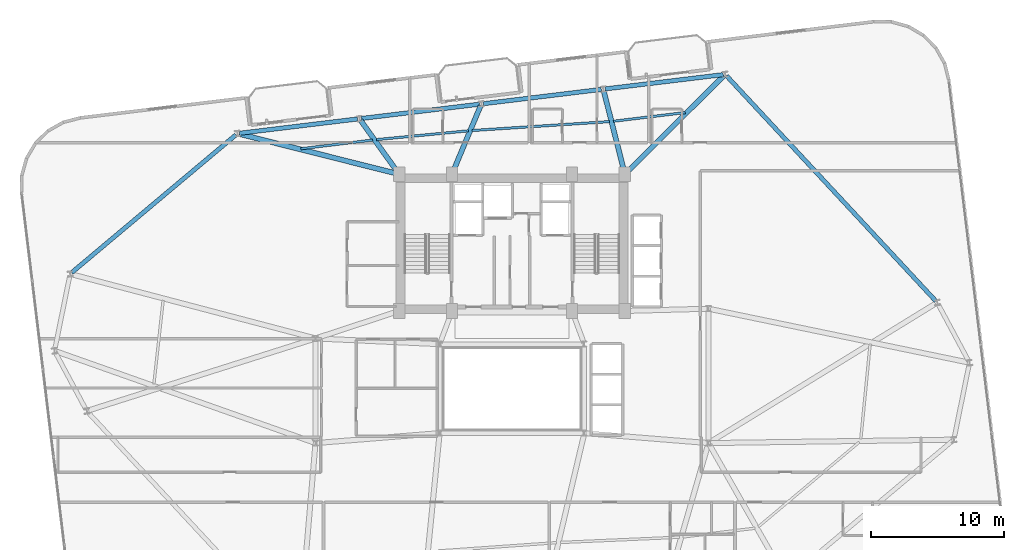
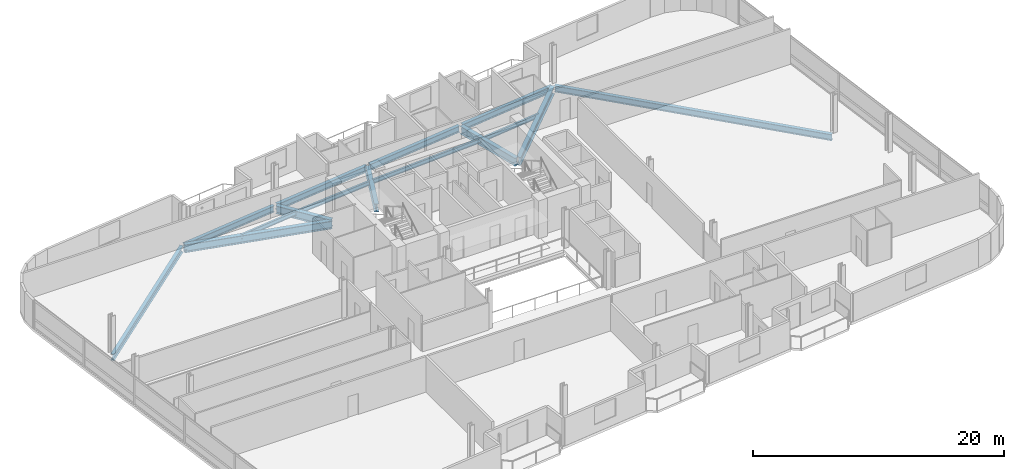
# One storey, part 9 of 22: 15 beams.
"""IFC4 building model written with IfcOpenShell, lengths in metres."""

from ifc_helpers import new_model, si_unit, direction, frame, origin, origin_2d, place, context, subcontext, project, spatial, i_section, extrude, material, material_profile, profile_set, type_object, element, save


model = new_model("IFC4")

# Units and contexts
model_context = context("Model", 3, precision=1e-05, world=origin(), true_north=direction((0.0, 1.0)))
body_context = subcontext(model_context, "Body", "Model", "MODEL_VIEW")
ifc_project = project(units=[si_unit("LENGTHUNIT", "METRE"), si_unit("AREAUNIT", "SQUARE_METRE"), si_unit("VOLUMEUNIT", "CUBIC_METRE"), si_unit("PLANEANGLEUNIT", "RADIAN"), si_unit("MASSUNIT", "GRAM", prefix="KILO")], contexts=[model_context])

# Site, building, storey
site_placement = place(None, origin())
site = spatial("IfcSite", under=ifc_project, at=site_placement, CompositionType="ELEMENT")
building_placement = place(site_placement, origin())
building = spatial("IfcBuilding", under=site, at=building_placement, Name="Varnelok Gate Tower", CompositionType="ELEMENT")
storey_placement = place(building_placement, frame((0.0, 0.0, 178.300048828125)))
storey = spatial("IfcBuildingStorey", under=building, at=storey_placement, Name="L45", CompositionType="ELEMENT", Elevation=178.300048828125)

# Beams
ifc_material = material(Name="Structural Steel ASTM A992 Grade 50", Category="steel")
ifc_material_profile_1 = material_profile(ifc_material, i_section(OverallWidth=0.180908203125, OverallDepth=0.4169921875, WebThickness=0.010986328125, FlangeThickness=0.018310546875, FilletRadius=0.013916015625, at=origin_2d()), Name="W16X57")
ifc_profile_set_1 = profile_set([ifc_material_profile_1], Name="Structural Steel ASTM A992 Grade 50")
beam_type_1 = type_object("IfcBeamType", Name="BM-JST-W16X57", PredefinedType="JOIST", material=ifc_profile_set_1)
beam_1_placement = place(storey_placement, frame((52.24658203125, 43.693603515625, -0.45849609375), z_axis=(-0.992731675719, -0.120348743339, 0.0), x_axis=(0.120348743339, -0.992731675719, 0.0)))
element("IfcBeam", 1, at=beam_1_placement, inside=storey, type_object=beam_type_1, Name="L45 Sector Floor Joist 7", PredefinedType="JOIST", context=body_context, shape_type="SweptSolid", body=[
    extrude(i_section(OverallWidth=0.180908203125, OverallDepth=0.4169921875, WebThickness=0.010986328125, FlangeThickness=0.018310546875, FilletRadius=0.013916015625, at=origin_2d()), origin(), (0.0, 0.0, 1.0), 5.454833984375),
])
beam_2_placement = place(storey_placement, frame((46.552490234375, 43.01123046875, -0.45849609375), z_axis=(-0.997902783228, -0.064730481427, 0.0), x_axis=(0.064730481427, -0.997902783228, 0.0)))
element("IfcBeam", 2, at=beam_2_placement, inside=storey, type_object=beam_type_1, Name="L45 Sector Floor Joist 8", PredefinedType="JOIST", context=body_context, shape_type="SweptSolid", body=[
    extrude(i_section(OverallWidth=0.180908203125, OverallDepth=0.4169921875, WebThickness=0.010986328125, FlangeThickness=0.018310546875, FilletRadius=0.013916015625, at=origin_2d()), origin(), (0.0, 0.0, 1.0), 10.38330078125),
])
beam_3_placement = place(storey_placement, frame((35.912109375, 42.31689453125, -0.45849609375), z_axis=(-0.995443289549, -0.095355426129, 0.0), x_axis=(0.095355426129, -0.995443289549, 0.0)))
element("IfcBeam", 3, at=beam_3_placement, inside=storey, type_object=beam_type_1, Name="L45 Sector Floor Joist 9", PredefinedType="JOIST", context=body_context, shape_type="SweptSolid", body=[
    extrude(i_section(OverallWidth=0.180908203125, OverallDepth=0.4169921875, WebThickness=0.010986328125, FlangeThickness=0.018310546875, FilletRadius=0.013916015625, at=origin_2d()), origin(), (0.0, 0.0, 1.0), 6.958984375),
])
beam_4_placement = place(storey_placement, frame((28.70654296875, 41.623046875, -0.45849609375), z_axis=(-0.992737021941, -0.120304635272, 0.0), x_axis=(0.120304635272, -0.992737021941, 0.0)))
element("IfcBeam", 4, at=beam_4_placement, inside=storey, type_object=beam_type_1, Name="L45 Sector Floor Joist 10", PredefinedType="JOIST", context=body_context, shape_type="SweptSolid", body=[
    extrude(i_section(OverallWidth=0.180908203125, OverallDepth=0.4169921875, WebThickness=0.010986328125, FlangeThickness=0.018310546875, FilletRadius=0.013916015625, at=origin_2d()), origin(), (0.0, 0.0, 1.0), 5.454833984375),
])
ifc_material_profile_2 = material_profile(ifc_material, i_section(OverallWidth=0.381103515625, OverallDepth=0.77294921875, WebThickness=0.0166015625, FlangeThickness=0.027099609375, FilletRadius=0.02197265625, at=origin_2d()), Name="W30X173")
ifc_profile_set_2 = profile_set([ifc_material_profile_2], Name="Structural Steel ASTM A992 Grade 50")
beam_type_2 = type_object("IfcBeamType", Name="BM-PRI-W30X173", PredefinedType="BEAM", material=ifc_profile_set_2)
beam_5_placement = place(storey_placement, frame((47.806396484375, 39.15576171875, -0.636474609375), z_axis=(0.708989690383, 0.705218844707, 0.0), x_axis=(-0.705218844707, 0.708989690383, 0.0)))
element("IfcBeam", 5, at=beam_5_placement, inside=storey, type_object=beam_type_2, Name="L45 Radial Floor Girder 9", PredefinedType="BEAM", context=body_context, shape_type="SweptSolid", body=[
    extrude(i_section(OverallWidth=0.381103515625, OverallDepth=0.77294921875, WebThickness=0.0166015625, FlangeThickness=0.027099609375, FilletRadius=0.02197265625, at=origin_2d()), origin(), (0.0, 0.0, 1.0), 10.359130859375),
])
beam_6_placement = place(storey_placement, frame((47.6630859375, 39.1953125, -0.636474609375), z_axis=(-0.246004343354, 0.969268725922, 0.0), x_axis=(-0.969268725922, -0.246004343354, 0.0)))
element("IfcBeam", 6, at=beam_6_placement, inside=storey, type_object=beam_type_2, Name="L45 Radial Floor Girder 10", PredefinedType="BEAM", context=body_context, shape_type="SweptSolid", body=[
    extrude(i_section(OverallWidth=0.381103515625, OverallDepth=0.77294921875, WebThickness=0.0166015625, FlangeThickness=0.027099609375, FilletRadius=0.02197265625, at=origin_2d()), origin(), (0.0, 0.0, 1.0), 6.306884765625),
])
beam_7_placement = place(storey_placement, frame((34.73779296875, 39.1884765625, -0.636474609375), z_axis=(0.38573799398, 0.922608367619, 0.0), x_axis=(-0.922608367619, 0.38573799398, 0.0)))
element("IfcBeam", 7, at=beam_7_placement, inside=storey, type_object=beam_type_2, Name="L45 Radial Floor Girder 11", PredefinedType="BEAM", context=body_context, shape_type="SweptSolid", body=[
    extrude(i_section(OverallWidth=0.381103515625, OverallDepth=0.77294921875, WebThickness=0.0166015625, FlangeThickness=0.027099609375, FilletRadius=0.02197265625, at=origin_2d()), origin(), (0.0, 0.0, 1.0), 5.434326171875),
])
beam_8_placement = place(storey_placement, frame((30.61279296875, 39.172119140625, -0.636474609375), z_axis=(-0.582178250272, 0.81306118153, 0.0), x_axis=(-0.81306118153, -0.582178250272, 0.0)))
element("IfcBeam", 8, at=beam_8_placement, inside=storey, type_object=beam_type_2, Name="L45 Radial Floor Girder 12", PredefinedType="BEAM", context=body_context, shape_type="SweptSolid", body=[
    extrude(i_section(OverallWidth=0.381103515625, OverallDepth=0.77294921875, WebThickness=0.0166015625, FlangeThickness=0.027099609375, FilletRadius=0.02197265625, at=origin_2d()), origin(), (0.0, 0.0, 1.0), 4.837646484375),
])
beam_9_placement = place(storey_placement, frame((30.554443359375, 39.086669921875, -0.636474609375), z_axis=(-0.969752143123, 0.244091746906, 0.0), x_axis=(-0.244091746906, -0.969752143123, 0.0)))
element("IfcBeam", 9, at=beam_9_placement, inside=storey, type_object=beam_type_2, Name="L45 Radial Floor Girder 13", PredefinedType="BEAM", context=body_context, shape_type="SweptSolid", body=[
    extrude(i_section(OverallWidth=0.381103515625, OverallDepth=0.77294921875, WebThickness=0.0166015625, FlangeThickness=0.027099609375, FilletRadius=0.02197265625, at=origin_2d()), origin(), (0.0, 0.0, 1.0), 12.25341796875),
])
ifc_material_profile_3 = material_profile(ifc_material, i_section(OverallWidth=0.323974609375, OverallDepth=0.611083984375, WebThickness=0.0126953125, FlangeThickness=0.01904296875, FilletRadius=0.01806640625, at=origin_2d()), Name="W24X104")
ifc_profile_set_3 = profile_set([ifc_material_profile_3], Name="Structural Steel ASTM A992 Grade 50")
beam_type_3 = type_object("IfcBeamType", Name="BM-SPN-W24X104", PredefinedType="SPANDREL", material=ifc_profile_set_3)
beam_10_placement = place(storey_placement, frame((71.123291015625, 29.49365234375, -0.5556640625), z_axis=(-0.680734113922, 0.732530590585, 0.0), x_axis=(-0.732530590585, -0.680734113922, 0.0)))
element("IfcBeam", 10, at=beam_10_placement, inside=storey, type_object=beam_type_3, Name="L45 Perimeter Spandrel Beam 8", PredefinedType="SPANDREL", context=body_context, shape_type="SweptSolid", body=[
    extrude(i_section(OverallWidth=0.323974609375, OverallDepth=0.611083984375, WebThickness=0.0126953125, FlangeThickness=0.01904296875, FilletRadius=0.01806640625, at=origin_2d()), origin(), (0.0, 0.0, 1.0), 23.1572265625),
])
for number, where, z_axis, x_axis, name in (
    (11, (55.1083984375, 46.548828125, -0.5556640625), (-0.992734670707, -0.120324035735, 0.0), (0.120324035735, -0.992734670707, 0.0), "L45 Perimeter Spandrel Beam 9"),
    (12, (45.92578125, 45.435791015625, -0.5556640625), (-0.99273141198, -0.120350918849, 0.0), (0.120350918849, -0.99273141198, 0.0), "L45 Perimeter Spandrel Beam 10"),
    (13, (36.742919921875, 44.322509765625, -0.5556640625), (-0.992734670707, -0.120324035735, 0.0), (0.120324035735, -0.992734670707, 0.0), "L45 Perimeter Spandrel Beam 11"),
    (14, (27.56005859375, 43.209228515625, -0.5556640625), (-0.992734670707, -0.120324035735, 0.0), (0.120324035735, -0.992734670707, 0.0), "L45 Perimeter Spandrel Beam 12"),
):
    element("IfcBeam", number, at=place(storey_placement, frame(where, z_axis=z_axis, x_axis=x_axis)), inside=storey, type_object=beam_type_3, Name=name, PredefinedType="SPANDREL", context=body_context, shape_type="SweptSolid", body=[
        extrude(i_section(OverallWidth=0.323974609375, OverallDepth=0.611083984375, WebThickness=0.0126953125, FlangeThickness=0.01904296875, FilletRadius=0.01806640625, at=origin_2d()), origin(), (0.0, 0.0, 1.0), 8.949951171875),
    ])
beam_11_placement = place(storey_placement, frame((18.411376953125, 42.017822265625, -0.5556640625), z_axis=(-0.766099582792, -0.642721891059, 0.0), x_axis=(0.642721891059, -0.766099582792, 0.0)))
element("IfcBeam", 15, at=beam_11_placement, inside=storey, type_object=beam_type_3, Name="L45 Perimeter Spandrel Beam 13", PredefinedType="SPANDREL", context=body_context, shape_type="SweptSolid", body=[
    extrude(i_section(OverallWidth=0.323974609375, OverallDepth=0.611083984375, WebThickness=0.0126953125, FlangeThickness=0.01904296875, FilletRadius=0.01806640625, at=origin_2d()), origin(), (0.0, 0.0, 1.0), 16.151123046875),
])

save(model, "model.ifc")
